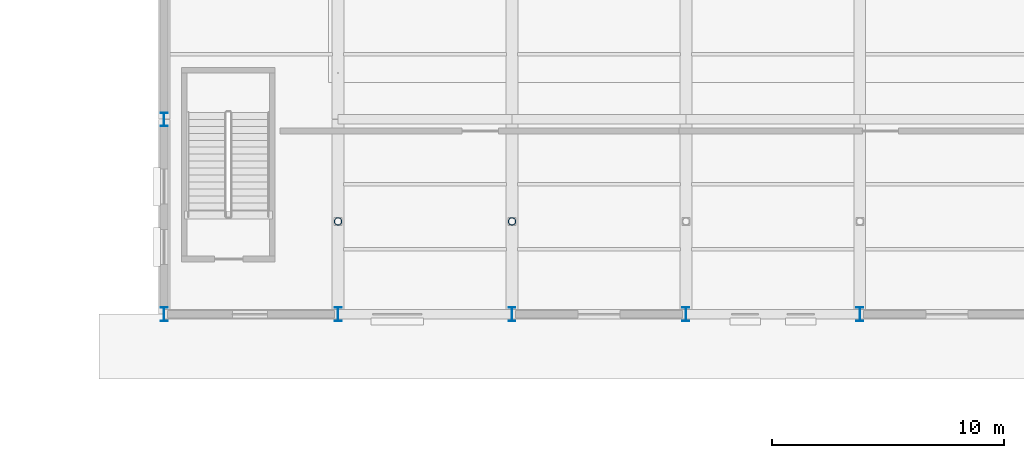
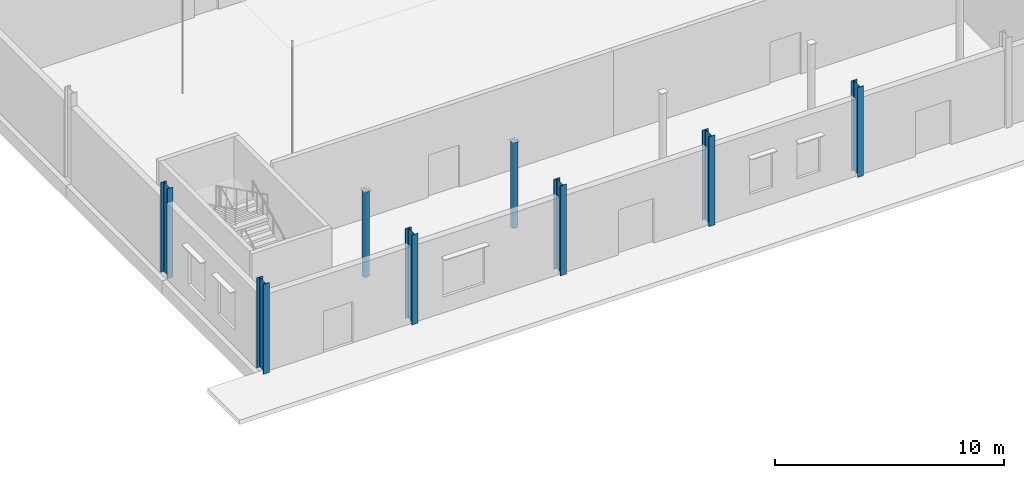
# One storey, part 8 of 82: 8 columns.
"""IFC4 building model written with IfcOpenShell, lengths in metres."""

from ifc_helpers import new_model, si_unit, direction, frame, origin, origin_2d, place, context, subcontext, project, spatial, hollow_circle, i_section, extrude, material, material_profile, profile_set, type_object, element, save


model = new_model("IFC4")

# Units and contexts
model_context = context("Model", 3, precision=1e-05, world=origin(), true_north=direction((0.0, 1.0)))
body_context = subcontext(model_context, "Body", "Model", "MODEL_VIEW")
ifc_project = project(units=[si_unit("LENGTHUNIT", "METRE"), si_unit("AREAUNIT", "SQUARE_METRE"), si_unit("VOLUMEUNIT", "CUBIC_METRE"), si_unit("PLANEANGLEUNIT", "RADIAN"), si_unit("MASSUNIT", "GRAM", prefix="KILO")], contexts=[model_context])

# Site, building, storey
site_placement = place(None, origin())
site = spatial("IfcSite", under=ifc_project, at=site_placement, CompositionType="ELEMENT")
building_placement = place(site_placement, origin())
building = spatial("IfcBuilding", under=site, at=building_placement, Name="Yukiwa Park Conservatory and Herbarium", CompositionType="ELEMENT")
storey_placement = place(building_placement, origin())
storey = spatial("IfcBuildingStorey", under=building, at=storey_placement, Name="L00", CompositionType="ELEMENT", Elevation=0.0)

# Columns
ifc_material_1 = material(Name="Steel Q355D", Category="steel")
ifc_material_profile_1 = material_profile(ifc_material_1, i_section(OverallWidth=0.300048828125, OverallDepth=0.587890625, WebThickness=0.011962890625, FlangeThickness=0.02001953125, FilletRadius=0.02392578125, at=origin_2d()), Name="HM 588x300x12x20")
ifc_profile_set_1 = profile_set([ifc_material_profile_1], Name="Steel Q355D")
column_type_1 = type_object("IfcColumnType", Name="COL-AU-HM588-EXT", PredefinedType="COLUMN", material=ifc_profile_set_1)
for number, where, z_axis, x_axis, name in (
    (1, (15.0, 78.0, 0.0), (0.0, 0.0, 1.0), (1.0, 0.0, 0.0), "L00 column V4-X150-Y780"),
    (2, (15.0, 86.39990234375, 0.0), (0.0, 0.0, 1.0), (1.0, 0.0, 0.0), "L00 column V4-X150-Y864"),
    (3, (22.5, 78.0, 0.0), (0.0, 0.0, 1.0), (1.0, 0.0, 0.0), "L00 column V4-X225-Y780"),
    (4, (30.0, 78.0, 0.0), (0.0, 0.0, 1.0), (1.0, 0.0, 0.0), "L00 column V4-X300-Y780"),
    (5, (37.5, 78.0, 0.0), (0.0, 0.0, 1.0), (1.0, 0.0, 0.0), "L00 column V4-X375-Y780"),
    (6, (45.0, 78.0, 0.0), (0.0, 0.0, 1.0), (1.0, 0.0, 0.0), "L00 column V4-X450-Y780"),
):
    element("IfcColumn", number, at=place(storey_placement, frame(where, z_axis=z_axis, x_axis=x_axis)), inside=storey, type_object=column_type_1, Name=name, PredefinedType="COLUMN", context=body_context, shape_type="SweptSolid", body=[
        extrude(i_section(OverallWidth=0.300048828125, OverallDepth=0.587890625, WebThickness=0.011962890625, FlangeThickness=0.02001953125, FilletRadius=0.02392578125, at=origin_2d()), origin(), (0.0, 0.0, 1.0), 4.800048828125),
    ])
ifc_material_2 = material(Name="Steel Q355D", Category="steel")
ifc_material_profile_2 = material_profile(ifc_material_2, hollow_circle(Radius=0.16259765625, WallThickness=0.011962890625, at=origin_2d()), Name="CHS 325x12")
ifc_profile_set_2 = profile_set([ifc_material_profile_2], Name="Steel Q355D")
column_type_2 = type_object("IfcColumnType", Name="COL-CN-CHS325", PredefinedType="COLUMN", material=ifc_profile_set_2)
for number, where, z_axis, x_axis, name in (
    (7, (22.5, 82.0, 0.0), (0.0, 0.0, 1.0), (1.0, 0.0, 0.0), "Auditorium balcony gallery colonnade post 1"),
    (8, (30.0, 82.0, 0.0), (0.0, 0.0, 1.0), (1.0, 0.0, 0.0), "Auditorium balcony gallery colonnade post 2"),
):
    element("IfcColumn", number, at=place(storey_placement, frame(where, z_axis=z_axis, x_axis=x_axis)), inside=storey, type_object=column_type_2, Name=name, PredefinedType="COLUMN", context=body_context, shape_type="SweptSolid", body=[
        extrude(hollow_circle(Radius=0.16259765625, WallThickness=0.011962890625, at=origin_2d()), origin(), (0.0, 0.0, 1.0), 4.56005859375),
    ])

save(model, "model.ifc")
